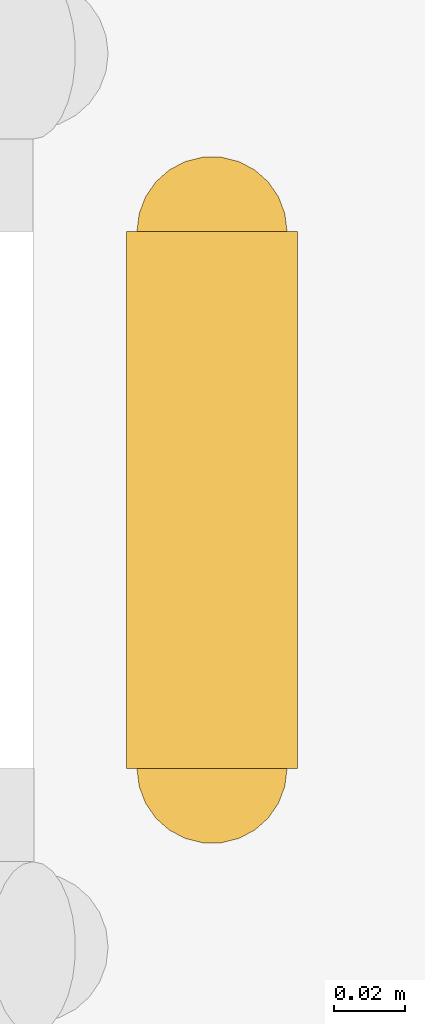
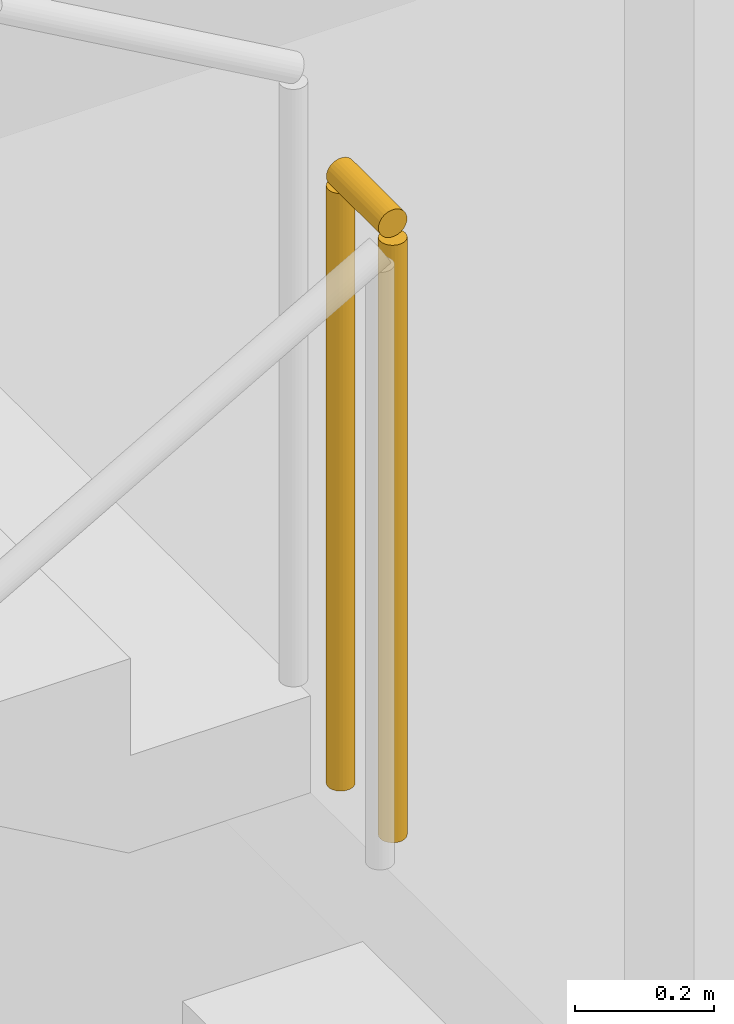
# One storey, part 41 of 42: 1 railing.
"""IFC4 building model written with IfcOpenShell, lengths in metres."""

from ifc_helpers import new_model, si_unit, direction, frame, origin, origin_2d, place, context, subcontext, project, spatial, circle, extrude, material, type_object, element, save


model = new_model("IFC4")

# Units and contexts
model_context = context("Model", 3, precision=1e-05, world=origin(), true_north=direction((0.0, 1.0)))
body_context = subcontext(model_context, "Body", "Model", "MODEL_VIEW")
ifc_project = project(units=[si_unit("LENGTHUNIT", "METRE"), si_unit("AREAUNIT", "SQUARE_METRE"), si_unit("VOLUMEUNIT", "CUBIC_METRE"), si_unit("PLANEANGLEUNIT", "RADIAN"), si_unit("MASSUNIT", "GRAM", prefix="KILO")], contexts=[model_context])

# Site, building, storey
site_placement = place(None, origin())
site = spatial("IfcSite", under=ifc_project, at=site_placement, CompositionType="ELEMENT")
building_placement = place(site_placement, origin())
building = spatial("IfcBuilding", under=site, at=building_placement, Name="Corbel Stack Research Tower", CompositionType="ELEMENT")
storey_placement = place(building_placement, frame((0.0, 0.0, 11.300048828125)))
storey = spatial("IfcBuildingStorey", under=building, at=storey_placement, Name="L02", CompositionType="ELEMENT", Elevation=11.300048828125)

# Railing
ifc_material = material(Name="Steel S235", Category="steel")
railing_type = type_object("IfcRailingType", Name="HR1 guard 1100", PredefinedType="GUARDRAIL", material=ifc_material)
railing_placement = place(storey_placement, frame((98.824951171875, 21.699951171875, 2.050048828125)))
element("IfcRailing", 1, at=railing_placement, inside=storey, type_object=railing_type, Name="L02 HS2 stair guard 2", PredefinedType="GUARDRAIL", context=body_context, shape_type="SweptSolid", body=[
    extrude(circle(Radius=0.02392578125, at=origin_2d()), frame((0.0, 0.0, 1.076171875), z_axis=(0.0, 1.0, 0.0), x_axis=(-1.0, 0.0, 0.0)), (0.0, 0.0, 1.0), 0.150146484375),
    extrude(circle(Radius=0.02099609375, at=origin_2d()), origin(), (0.0, 0.0, 1.0), 1.052001953125),
    extrude(circle(Radius=0.02099609375, at=origin_2d()), frame((0.0, 0.150146484375, 0.0)), (0.0, 0.0, 1.0), 1.052001953125),
])

save(model, "model.ifc")
